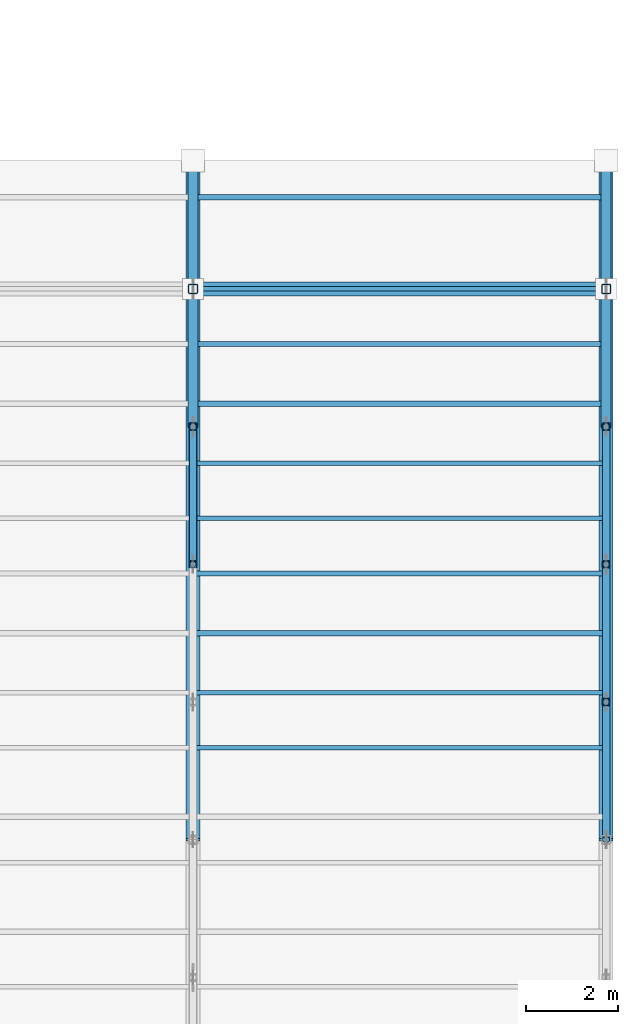
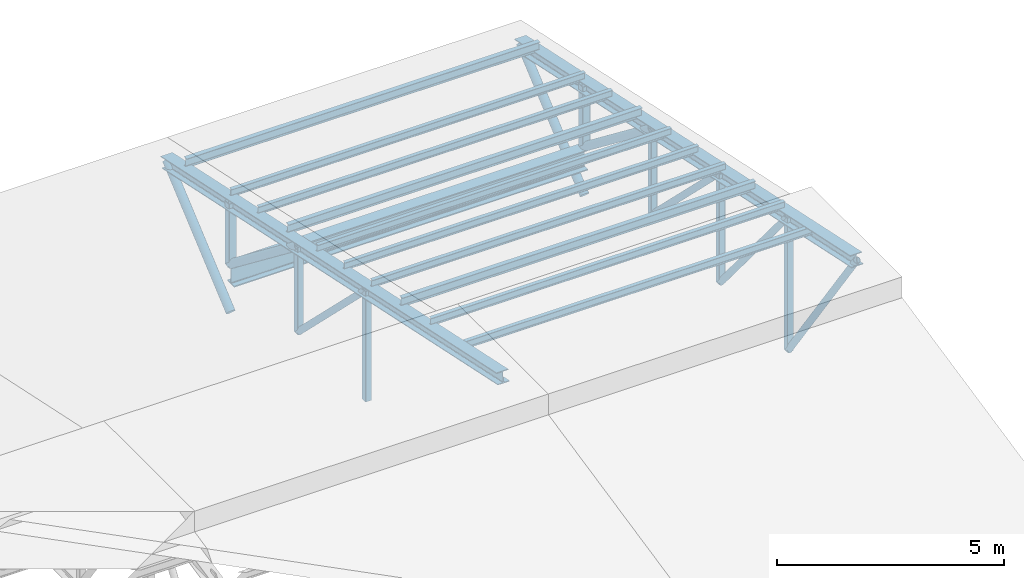
# One storey, part 30 of 43: 27 members, 1 beam.
"""IFC4 building model written with IfcOpenShell, lengths in metres."""

import ifcopenshell
import ifcopenshell.guid

model = None  # the IFC model being written
_history = None  # IfcOwnerHistory: only IFC2X3 demands one
_inside = {}  # id of a spatial element -> (the spatial element, [elements in it])
_under = {}  # id of a project, library or spatial element -> (it, [spatial elements below it])
_declared = {}  # id of a project -> (the project, [libraries it declares])
_typed = {}  # id of a type object -> (the type object, [elements of that type])
_made_of = {}  # id of a material, layer set ... -> (it, [elements and type objects made of it])


def new_model(schema):
    """Start an empty IFC model of exactly this schema.

    Asked for "IFC4X3", IfcOpenShell would pick the latest addendum, in which some entities
    have other attributes; the version numbers below select the first issue.
    IFC2X3 requires an IfcOwnerHistory on every rooted entity: one is made here for all.
    """
    global model, _history
    if schema == "IFC4X3":
        model = ifcopenshell.file(schema_version=(4, 3, 0, 0))
    else:
        model = ifcopenshell.file(schema=schema)
    _inside.clear()
    _under.clear()
    _declared.clear()
    _typed.clear()
    _made_of.clear()
    _history = None
    if model.schema == "IFC2X3":
        org = make("IfcOrganization", Name="unknown")
        user = make(
            "IfcPersonAndOrganization",
            ThePerson=make("IfcPerson", FamilyName="unknown"),
            TheOrganization=org,
        )
        app = make(
            "IfcApplication",
            ApplicationDeveloper=org,
            Version="unknown",
            ApplicationFullName="unknown",
            ApplicationIdentifier="unknown",
        )
        _history = make(
            "IfcOwnerHistory",
            OwningUser=user,
            OwningApplication=app,
            ChangeAction="ADDED",
            CreationDate=0,
        )
    return model


def make(cls, **values):
    """One entity of the class cls with the attributes given. An attribute that is None is left unset."""
    return model.create_entity(
        cls, **{name: value for name, value in values.items() if value is not None}
    )


def rooted(cls, **values):
    """An entity with a GlobalId (a new one), such as an element, a storey or a relation."""
    return make(cls, GlobalId=ifcopenshell.guid.new(), OwnerHistory=_history, **values)


def si_unit(unit_type, name, prefix=None):
    """IfcSIUnit, for example si_unit("LENGTHUNIT", "METRE", prefix="MILLI")."""
    return make("IfcSIUnit", UnitType=unit_type, Prefix=prefix, Name=name)


def assignment(units):
    """IfcUnitAssignment: the units of a project."""
    return None if units is None else make("IfcUnitAssignment", Units=units)


def point(xyz):
    """IfcCartesianPoint."""
    return None if xyz is None else make("IfcCartesianPoint", Coordinates=xyz)


def direction(xyz):
    """IfcDirection."""
    return None if xyz is None else make("IfcDirection", DirectionRatios=xyz)


def frame(location, z_axis=None, x_axis=None):
    """IfcAxis2Placement3D, a coordinate frame: its origin and axes. An axis left out is left unset."""
    return make(
        "IfcAxis2Placement3D",
        Location=point(location),
        Axis=direction(z_axis),
        RefDirection=direction(x_axis),
    )


def frame_2d(location, x_axis=None):
    """IfcAxis2Placement2D, a coordinate frame in the plane: its origin and x axis."""
    return make(
        "IfcAxis2Placement2D", Location=point(location), RefDirection=direction(x_axis)
    )


def origin():
    """The frame at (0, 0, 0) with its axes left unset."""
    return frame((0.0, 0.0, 0.0))


def origin_2d():
    """The frame at (0, 0) in the plane with its x axis left unset."""
    return frame_2d((0.0, 0.0))


def place(relative_to, where):
    """IfcLocalPlacement: puts the frame where relative to a parent placement (None: the world)."""
    return make(
        "IfcLocalPlacement", PlacementRelTo=relative_to, RelativePlacement=where
    )


def context(
    kind, dimensions, precision=None, world=None, true_north=None, identifier=None
):
    """IfcGeometricRepresentationContext, for example the 3D "Model" context."""
    return make(
        "IfcGeometricRepresentationContext",
        ContextIdentifier=identifier,
        ContextType=kind,
        CoordinateSpaceDimension=dimensions,
        Precision=precision,
        WorldCoordinateSystem=world,
        TrueNorth=true_north,
    )


def subcontext(parent, identifier, kind, view, scale=None):
    """IfcGeometricRepresentationSubContext, for example "Body" below "Model"."""
    return make(
        "IfcGeometricRepresentationSubContext",
        ContextIdentifier=identifier,
        ContextType=kind,
        ParentContext=parent,
        TargetScale=scale,
        TargetView=view,
    )


def project(units=None, contexts=None):
    """IfcProject with its units and contexts."""
    return rooted(
        "IfcProject",
        Name="project",
        RepresentationContexts=contexts,
        UnitsInContext=assignment(units),
    )


def spatial(cls, under=None, at=None, **own):
    """A site, building, storey or space (cls), placed at a placement, below another one or the project."""
    s = rooted(cls, ObjectPlacement=at, **own)
    if under is not None:
        _under.setdefault(under.id(), (under, []))[1].append(s)
    return s


def profile(cls, at=None, kind="AREA", **sizes):
    """A parametric profile (cls). Its sizes go by their IFC names, for example OverallWidth=200.0."""
    return make(cls, ProfileType=kind, Position=at, **sizes)


def hollow_rectangle(**sizes):
    """IfcRectangleHollowProfileDef."""
    return profile("IfcRectangleHollowProfileDef", **sizes)


def hollow_circle(**sizes):
    """IfcCircleHollowProfileDef."""
    return profile("IfcCircleHollowProfileDef", **sizes)


def i_section(**sizes):
    """IfcIShapeProfileDef."""
    return profile("IfcIShapeProfileDef", **sizes)


def extrude(swept, where, along, depth):
    """IfcExtrudedAreaSolid: the profile swept, set in the frame where, extruded along a direction by depth."""
    return make(
        "IfcExtrudedAreaSolid",
        SweptArea=swept,
        Position=where,
        ExtrudedDirection=direction(along),
        Depth=depth,
    )


def shape(context_of_items, identifier, shape_type, items):
    """IfcShapeRepresentation: the items that make up one representation, for example the "Body"."""
    return make(
        "IfcShapeRepresentation",
        ContextOfItems=context_of_items,
        RepresentationIdentifier=identifier,
        RepresentationType=shape_type,
        Items=items,
    )


def material(Name=None, Category=None):
    """IfcMaterial."""
    return make("IfcMaterial", Name=Name, Category=Category)


def material_profile(
    of_material, cross_section, Name=None, Category=None, Priority=None
):
    """IfcMaterialProfile: a cross section and its material."""
    return make(
        "IfcMaterialProfile",
        Name=Name,
        Material=of_material,
        Profile=cross_section,
        Priority=Priority,
        Category=Category,
    )


def profile_set(profiles, Name=None, composite=None):
    """IfcMaterialProfileSet."""
    return make(
        "IfcMaterialProfileSet",
        Name=Name,
        MaterialProfiles=profiles,
        CompositeProfile=composite,
    )


def made_of(thing, what):
    """Note that an element or type object is made of a material, layer set ...; save() writes the relation."""
    if what is not None:
        _made_of.setdefault(what.id(), (what, []))[1].append(thing)
    return thing


def type_object(cls, material=None, **own):
    """A type object (cls), such as IfcWallType, which elements share."""
    return made_of(rooted(cls, **own), material)


def element(
    cls,
    number,
    at=None,
    inside=None,
    cuts=None,
    type_object=None,
    material=None,
    context=None,
    identifier="Body",
    shape_type=None,
    held_by="IfcProductDefinitionShape",
    body=None,
    shapes=None,
    **own,
):
    """One element of the class cls, such as IfcWall. Its Tag is "e" and its number.

    at: its placement. inside: the storey or other place that contains it. cuts: it is an
    opening in that element (IfcRelVoidsElement). A single representation is given by context,
    identifier, shape_type and body (its items); several are given by shapes. held_by: the class
    of the entity that holds the representations. save() writes the other relations.
    """
    e = rooted(cls, Tag="e%d" % number, ObjectPlacement=at, **own)
    if body is not None:
        shapes = [shape(context, identifier, shape_type, body)]
    if shapes is not None:
        e.Representation = make(held_by, Representations=shapes)
    if inside is not None:
        _inside.setdefault(inside.id(), (inside, []))[1].append(e)
    if cuts is not None:
        rooted(
            "IfcRelVoidsElement", RelatingBuildingElement=cuts, RelatedOpeningElement=e
        )
    if type_object is not None:
        _typed.setdefault(type_object.id(), (type_object, []))[1].append(e)
    return made_of(e, material)


def aggregate(whole, parts):
    """IfcRelAggregates: a whole, such as a stair, and the parts it consists of."""
    return rooted("IfcRelAggregates", RelatingObject=whole, RelatedObjects=parts)


def save(model, path):
    """Write the relations noted so far, then the file.

    IfcRelAggregates (storeys below a building ...), IfcRelContainedInSpatialStructure (elements
    in a storey), IfcRelDefinesByType, IfcRelAssociatesMaterial and IfcRelDeclares: one each for
    every whole, place, type object, material and project.
    """
    for whole, parts in _under.values():
        aggregate(whole, parts)
    for where, things in _inside.values():
        rooted(
            "IfcRelContainedInSpatialStructure",
            RelatedElements=things,
            RelatingStructure=where,
        )
    for kind, things in _typed.values():
        rooted("IfcRelDefinesByType", RelatedObjects=things, RelatingType=kind)
    for what, things in _made_of.values():
        rooted("IfcRelAssociatesMaterial", RelatedObjects=things, RelatingMaterial=what)
    for by, libraries in _declared.values():
        rooted("IfcRelDeclares", RelatingContext=by, RelatedDefinitions=libraries)
    model.write(path)


model = new_model("IFC4")

# Units and contexts
model_context = context("Model", 3, precision=1e-05, world=origin(), true_north=direction((0.0, 1.0)))
body_context = subcontext(model_context, "Body", "Model", "MODEL_VIEW")
ifc_project = project(units=[si_unit("LENGTHUNIT", "METRE"), si_unit("AREAUNIT", "SQUARE_METRE"), si_unit("VOLUMEUNIT", "CUBIC_METRE"), si_unit("PLANEANGLEUNIT", "RADIAN"), si_unit("MASSUNIT", "GRAM", prefix="KILO")], contexts=[model_context])

# Site, building, storey
site_placement = place(None, origin())
site = spatial("IfcSite", under=ifc_project, at=site_placement, CompositionType="ELEMENT")
building_placement = place(site_placement, origin())
building = spatial("IfcBuilding", under=site, at=building_placement, Name="Serraforn Aerial Cableway Station", CompositionType="ELEMENT")
storey_placement = place(building_placement, frame((0.0, 0.0, 18.300048828125)))
storey = spatial("IfcBuildingStorey", under=building, at=storey_placement, Name="RF", CompositionType="ELEMENT", Elevation=18.300048828125)

# Beam
ifc_material_1 = material(Name="Steel S355J2", Category="steel")
ifc_material_profile_1 = material_profile(ifc_material_1, i_section(OverallWidth=0.300048828125, OverallDepth=0.550048828125, WebThickness=0.014892578125, FlangeThickness=0.029052734375, FilletRadius=0.027099609375, at=origin_2d()), Name="HEB 550")
ifc_profile_set_1 = profile_set([ifc_material_profile_1], Name="Steel S355J2")
beam_type = type_object("IfcBeamType", Name="BM-ST-HEB550", PredefinedType="USERDEFINED", material=ifc_profile_set_1)
beam_placement = place(storey_placement, frame((81.60009765625, 42.0, -1.625), z_axis=(1.0, 0.0, 0.0), x_axis=(0.0, 1.0, 0.0)))
element("IfcBeam", 1, at=beam_placement, inside=storey, type_object=beam_type, Name="Boarding Hall Eave Girder N-7", ObjectType="GIRDER", PredefinedType="USERDEFINED", context=body_context, shape_type="SweptSolid", body=[
    extrude(i_section(OverallWidth=0.300048828125, OverallDepth=0.550048828125, WebThickness=0.014892578125, FlangeThickness=0.029052734375, FilletRadius=0.027099609375, at=origin_2d()), origin(), (0.0, 0.0, 1.0), 9.0),
])

# Members
ifc_material_profile_2 = material_profile(ifc_material_1, hollow_circle(Radius=0.084228515625, WallThickness=0.008056640625, at=origin_2d()), Name="CHS 168.3x8.0")
ifc_profile_set_2 = profile_set([ifc_material_profile_2], Name="Steel S355J2")
member_type_1 = type_object("IfcMemberType", Name="MEM-DG-CHS168", PredefinedType="BRACE", material=ifc_profile_set_2)
member_1_placement = place(storey_placement, frame((81.60009765625, 36.0, 1.6005859375), z_axis=(0.0, 0.71294245933, -0.701222539344), x_axis=(-1.0, 0.0, 0.0)))
element("IfcMember", 2, at=member_1_placement, inside=storey, type_object=member_type_1, Name="Roof Truss TR-07 Diagonal 7", PredefinedType="BRACE", context=body_context, shape_type="SweptSolid", body=[
    extrude(hollow_circle(Radius=0.084228515625, WallThickness=0.008056640625, at=origin_2d()), origin(), (0.0, 0.0, 1.0), 4.2080078125),
])
member_2_placement = place(storey_placement, frame((90.60009765625, 30.0, 2.8759765625), z_axis=(0.0, 0.578856146563, -0.815429679118), x_axis=(-1.0, 0.0, 0.0)))
element("IfcMember", 3, at=member_2_placement, inside=storey, type_object=member_type_1, Name="Roof Truss TR-08 Diagonal 5", PredefinedType="BRACE", context=body_context, shape_type="SweptSolid", body=[
    extrude(hollow_circle(Radius=0.084228515625, WallThickness=0.008056640625, at=origin_2d()), origin(), (0.0, 0.0, 1.0), 5.1826171875),
])
member_3_placement = place(storey_placement, frame((90.60009765625, 33.0, 2.23828125), z_axis=(0.0, 0.641405529785, -0.767202024477), x_axis=(-1.0, 0.0, 0.0)))
element("IfcMember", 4, at=member_3_placement, inside=storey, type_object=member_type_1, Name="Roof Truss TR-08 Diagonal 6", PredefinedType="BRACE", context=body_context, shape_type="SweptSolid", body=[
    extrude(hollow_circle(Radius=0.084228515625, WallThickness=0.008056640625, at=origin_2d()), origin(), (0.0, 0.0, 1.0), 4.67724609375),
])
member_4_placement = place(storey_placement, frame((90.60009765625, 36.0, 1.6005859375), z_axis=(0.0, 0.71294245933, -0.701222539344), x_axis=(-1.0, 0.0, 0.0)))
element("IfcMember", 5, at=member_4_placement, inside=storey, type_object=member_type_1, Name="Roof Truss TR-08 Diagonal 7", PredefinedType="BRACE", context=body_context, shape_type="SweptSolid", body=[
    extrude(hollow_circle(Radius=0.084228515625, WallThickness=0.008056640625, at=origin_2d()), origin(), (0.0, 0.0, 1.0), 4.2080078125),
])
ifc_material_profile_3 = material_profile(ifc_material_1, hollow_circle(Radius=0.109619140625, WallThickness=0.010009765625, at=origin_2d()), Name="CHS 219.1x10.0")
ifc_profile_set_3 = profile_set([ifc_material_profile_3], Name="Steel S355J2")
member_type_2 = type_object("IfcMemberType", Name="MEM-DG-CHS219", PredefinedType="BRACE", material=ifc_profile_set_3)
member_5_placement = place(storey_placement, frame((81.60009765625, 42.0, -2.650146484375), z_axis=(0.0, 0.760584469832, 0.649238988548), x_axis=(-1.0, 0.0, 0.0)))
element("IfcMember", 6, at=member_5_placement, inside=storey, type_object=member_type_2, Name="Roof Truss TR-07 Eave Knee Strut EN", PredefinedType="BRACE", context=body_context, shape_type="SweptSolid", body=[
    extrude(hollow_circle(Radius=0.109619140625, WallThickness=0.010009765625, at=origin_2d()), origin(), (0.0, 0.0, 1.0), 3.681396484375),
])
member_6_placement = place(storey_placement, frame((81.60009765625, 39.0, 0.962890625), z_axis=(0.0, 0.791947867333, -0.610588712168), x_axis=(-1.0, 0.0, 0.0)))
element("IfcMember", 7, at=member_6_placement, inside=storey, type_object=member_type_2, Name="Roof Truss TR-07 Diagonal 8", PredefinedType="BRACE", context=body_context, shape_type="SweptSolid", body=[
    extrude(hollow_circle(Radius=0.109619140625, WallThickness=0.010009765625, at=origin_2d()), origin(), (0.0, 0.0, 1.0), 3.7880859375),
])
member_7_placement = place(storey_placement, frame((90.60009765625, 42.0, -2.650146484375), z_axis=(0.0, 0.760584469832, 0.649238988548), x_axis=(-1.0, 0.0, 0.0)))
element("IfcMember", 8, at=member_7_placement, inside=storey, type_object=member_type_2, Name="Roof Truss TR-08 Eave Knee Strut EN", PredefinedType="BRACE", context=body_context, shape_type="SweptSolid", body=[
    extrude(hollow_circle(Radius=0.109619140625, WallThickness=0.010009765625, at=origin_2d()), origin(), (0.0, 0.0, 1.0), 3.681396484375),
])
member_8_placement = place(storey_placement, frame((90.60009765625, 39.0, 0.962890625), z_axis=(0.0, 0.791947867333, -0.610588712168), x_axis=(-1.0, 0.0, 0.0)))
element("IfcMember", 9, at=member_8_placement, inside=storey, type_object=member_type_2, Name="Roof Truss TR-08 Diagonal 8", PredefinedType="BRACE", context=body_context, shape_type="SweptSolid", body=[
    extrude(hollow_circle(Radius=0.109619140625, WallThickness=0.010009765625, at=origin_2d()), origin(), (0.0, 0.0, 1.0), 3.7880859375),
])
ifc_material_2 = material(Name="Steel S355JR", Category="steel")
ifc_material_profile_4 = material_profile(ifc_material_2, i_section(OverallWidth=0.10009765625, OverallDepth=0.199951171875, WebThickness=0.005615234375, FlangeThickness=0.008544921875, FilletRadius=0.011962890625, at=origin_2d()), Name="IPE 200")
ifc_profile_set_4 = profile_set([ifc_material_profile_4], Name="Steel S355JR")
member_type_3 = type_object("IfcMemberType", Name="MEM-PR-IPE200", PredefinedType="PURLIN", material=ifc_profile_set_4)
for number, where, z_axis, x_axis, name in (
    (10, (81.60009765625, 32.0, 2.48583984375), (1.0, 0.0, 0.0), (0.0, 1.0, 0.0), "Boarding Hall Purlin 7-9"),
    (11, (81.60009765625, 37.0, 1.632080078125), (1.0, 0.0, 0.0), (0.0, 1.0, 0.0), "Boarding Hall Purlin 7-11"),
    (12, (81.60009765625, 42.0, 0.5693359375), (1.0, 0.0, 0.0), (0.0, 1.0, 0.0), "Boarding Hall Purlin 7-13"),
    (13, (81.60009765625, 33.199951171875, 2.439697265625), (1.0, 0.0, 0.0), (0.0, 1.0, 0.0), "Boarding Hall Secondary Purlin 7-5"),
    (14, (81.60009765625, 35.800048828125, 1.88720703125), (1.0, 0.0, 0.0), (0.0, 1.0, 0.0), "Boarding Hall Secondary Purlin 7-6"),
    (15, (81.60009765625, 38.199951171875, 1.376953125), (1.0, 0.0, 0.0), (0.0, 1.0, 0.0), "Boarding Hall Secondary Purlin 7-7"),
    (16, (81.60009765625, 40.800048828125, 0.824462890625), (1.0, 0.0, 0.0), (0.0, 1.0, 0.0), "Boarding Hall Secondary Purlin 7-8"),
):
    element("IfcMember", number, at=place(storey_placement, frame(where, z_axis=z_axis, x_axis=x_axis)), inside=storey, type_object=member_type_3, Name=name, PredefinedType="PURLIN", context=body_context, shape_type="SweptSolid", body=[
        extrude(i_section(OverallWidth=0.10009765625, OverallDepth=0.199951171875, WebThickness=0.005615234375, FlangeThickness=0.008544921875, FilletRadius=0.011962890625, at=origin_2d()), origin(), (0.0, 0.0, 1.0), 9.0),
    ])
ifc_material_profile_5 = material_profile(ifc_material_2, i_section(OverallWidth=0.1201171875, OverallDepth=0.239990234375, WebThickness=0.006103515625, FlangeThickness=0.009765625, FilletRadius=0.014892578125, at=origin_2d()), Name="IPE 240")
ifc_profile_set_5 = profile_set([ifc_material_profile_5], Name="Steel S355JR")
member_type_4 = type_object("IfcMemberType", Name="MEM-PR-IPE240", PredefinedType="PURLIN", material=ifc_profile_set_5)
for number, where, z_axis, x_axis, name in (
    (17, (81.60009765625, 34.5, 2.183349609375), (1.0, 0.0, 0.0), (0.0, 1.0, 0.0), "Boarding Hall Purlin 7-10"),
    (18, (81.60009765625, 39.5, 1.12060546875), (1.0, 0.0, 0.0), (0.0, 1.0, 0.0), "Boarding Hall Purlin 7-12"),
    (19, (81.60009765625, 44.0, 0.1640625), (1.0, 0.0, 0.0), (0.0, 1.0, 0.0), "Boarding Hall Purlin 7-14"),
):
    element("IfcMember", number, at=place(storey_placement, frame(where, z_axis=z_axis, x_axis=x_axis)), inside=storey, type_object=member_type_4, Name=name, PredefinedType="PURLIN", context=body_context, shape_type="SweptSolid", body=[
        extrude(i_section(OverallWidth=0.1201171875, OverallDepth=0.239990234375, WebThickness=0.006103515625, FlangeThickness=0.009765625, FilletRadius=0.014892578125, at=origin_2d()), origin(), (0.0, 0.0, 1.0), 9.0),
    ])
ifc_material_profile_6 = material_profile(ifc_material_1, i_section(OverallWidth=0.300048828125, OverallDepth=0.300048828125, WebThickness=0.010986328125, FlangeThickness=0.01904296875, FilletRadius=0.027099609375, at=origin_2d()), Name="HEB 300")
ifc_profile_set_6 = profile_set([ifc_material_profile_6], Name="Steel S355J2")
member_type_5 = type_object("IfcMemberType", Name="MEM-TC-HEB300", PredefinedType="CHORD", material=ifc_profile_set_6)
for number, where, z_axis, x_axis, name in (
    (20, (81.60009765625, 30.0, 2.8759765625), (0.0, 0.978145603362, -0.207921087493), (-1.0, 0.0, 0.0), "Roof Truss TR-07 Top Chord 2"),
    (21, (90.60009765625, 30.0, 2.8759765625), (0.0, 0.978145603362, -0.207921087493), (-1.0, 0.0, 0.0), "Roof Truss TR-08 Top Chord 2"),
):
    element("IfcMember", number, at=place(storey_placement, frame(where, z_axis=z_axis, x_axis=x_axis)), inside=storey, type_object=member_type_5, Name=name, PredefinedType="CHORD", context=body_context, shape_type="SweptSolid", body=[
        extrude(i_section(OverallWidth=0.300048828125, OverallDepth=0.300048828125, WebThickness=0.010986328125, FlangeThickness=0.01904296875, FilletRadius=0.027099609375, at=origin_2d()), origin(), (0.0, 0.0, 1.0), 15.130615234375),
    ])
ifc_material_profile_7 = material_profile(ifc_material_1, hollow_rectangle(XDim=0.159912109375, YDim=0.159912109375, WallThickness=0.008056640625, InnerFilletRadius=0.008056640625, OuterFilletRadius=0.01611328125, at=origin_2d()), Name="SHS 160x160x8.0")
ifc_profile_set_7 = profile_set([ifc_material_profile_7], Name="Steel S355J2")
member_type_6 = type_object("IfcMemberType", Name="MEM-VP-SHS160", PredefinedType="STRUT", material=ifc_profile_set_7)
member_9_placement = place(storey_placement, frame((81.60009765625, 36.0, -1.360107421875), z_axis=(0.0, 0.0, 1.0), x_axis=(1.0, 0.0, 0.0)))
element("IfcMember", 22, at=member_9_placement, inside=storey, type_object=member_type_6, Name="Roof Truss TR-07 Vertical Post 7", PredefinedType="STRUT", context=body_context, shape_type="SweptSolid", body=[
    extrude(hollow_rectangle(XDim=0.159912109375, YDim=0.159912109375, WallThickness=0.008056640625, InnerFilletRadius=0.008056640625, OuterFilletRadius=0.01611328125, at=origin_2d()), origin(), (0.0, 0.0, 1.0), 2.970703125),
])
member_10_placement = place(storey_placement, frame((81.60009765625, 39.0, -1.360107421875), z_axis=(0.0, 0.0, 1.0), x_axis=(1.0, 0.0, 0.0)))
element("IfcMember", 23, at=member_10_placement, inside=storey, type_object=member_type_6, Name="Roof Truss TR-07 Vertical Post 8", PredefinedType="STRUT", context=body_context, shape_type="SweptSolid", body=[
    extrude(hollow_rectangle(XDim=0.159912109375, YDim=0.159912109375, WallThickness=0.008056640625, InnerFilletRadius=0.008056640625, OuterFilletRadius=0.01611328125, at=origin_2d()), origin(), (0.0, 0.0, 1.0), 2.3330078125),
])
member_11_placement = place(storey_placement, frame((90.60009765625, 33.0, -1.360107421875), z_axis=(0.0, 0.0, 1.0), x_axis=(1.0, 0.0, 0.0)))
element("IfcMember", 24, at=member_11_placement, inside=storey, type_object=member_type_6, Name="Roof Truss TR-08 Vertical Post 6", PredefinedType="STRUT", context=body_context, shape_type="SweptSolid", body=[
    extrude(hollow_rectangle(XDim=0.159912109375, YDim=0.159912109375, WallThickness=0.008056640625, InnerFilletRadius=0.008056640625, OuterFilletRadius=0.01611328125, at=origin_2d()), origin(), (0.0, 0.0, 1.0), 3.6083984375),
])
member_12_placement = place(storey_placement, frame((90.60009765625, 36.0, -1.360107421875), z_axis=(0.0, 0.0, 1.0), x_axis=(1.0, 0.0, 0.0)))
element("IfcMember", 25, at=member_12_placement, inside=storey, type_object=member_type_6, Name="Roof Truss TR-08 Vertical Post 7", PredefinedType="STRUT", context=body_context, shape_type="SweptSolid", body=[
    extrude(hollow_rectangle(XDim=0.159912109375, YDim=0.159912109375, WallThickness=0.008056640625, InnerFilletRadius=0.008056640625, OuterFilletRadius=0.01611328125, at=origin_2d()), origin(), (0.0, 0.0, 1.0), 2.970703125),
])
member_13_placement = place(storey_placement, frame((90.60009765625, 39.0, -1.360107421875), z_axis=(0.0, 0.0, 1.0), x_axis=(1.0, 0.0, 0.0)))
element("IfcMember", 26, at=member_13_placement, inside=storey, type_object=member_type_6, Name="Roof Truss TR-08 Vertical Post 8", PredefinedType="STRUT", context=body_context, shape_type="SweptSolid", body=[
    extrude(hollow_rectangle(XDim=0.159912109375, YDim=0.159912109375, WallThickness=0.008056640625, InnerFilletRadius=0.008056640625, OuterFilletRadius=0.01611328125, at=origin_2d()), origin(), (0.0, 0.0, 1.0), 2.3330078125),
])
ifc_material_profile_8 = material_profile(ifc_material_1, hollow_rectangle(XDim=0.199951171875, YDim=0.199951171875, WallThickness=0.010009765625, InnerFilletRadius=0.010009765625, OuterFilletRadius=0.02001953125, at=origin_2d()), Name="SHS 200x200x10.0")
ifc_profile_set_8 = profile_set([ifc_material_profile_8], Name="Steel S355J2")
member_type_7 = type_object("IfcMemberType", Name="MEM-VP-SHS200", PredefinedType="STRUT", material=ifc_profile_set_8)
for number, where, z_axis, x_axis, name in (
    (27, (81.60009765625, 42.0, -1.360107421875), (0.0, 0.0, 1.0), (1.0, 0.0, 0.0), "Roof Truss TR-07 Vertical Post 9"),
    (28, (90.60009765625, 42.0, -1.360107421875), (0.0, 0.0, 1.0), (1.0, 0.0, 0.0), "Roof Truss TR-08 Vertical Post 9"),
):
    element("IfcMember", number, at=place(storey_placement, frame(where, z_axis=z_axis, x_axis=x_axis)), inside=storey, type_object=member_type_7, Name=name, PredefinedType="STRUT", context=body_context, shape_type="SweptSolid", body=[
        extrude(hollow_rectangle(XDim=0.199951171875, YDim=0.199951171875, WallThickness=0.010009765625, InnerFilletRadius=0.010009765625, OuterFilletRadius=0.02001953125, at=origin_2d()), origin(), (0.0, 0.0, 1.0), 1.6953125),
    ])

save(model, "model.ifc")
